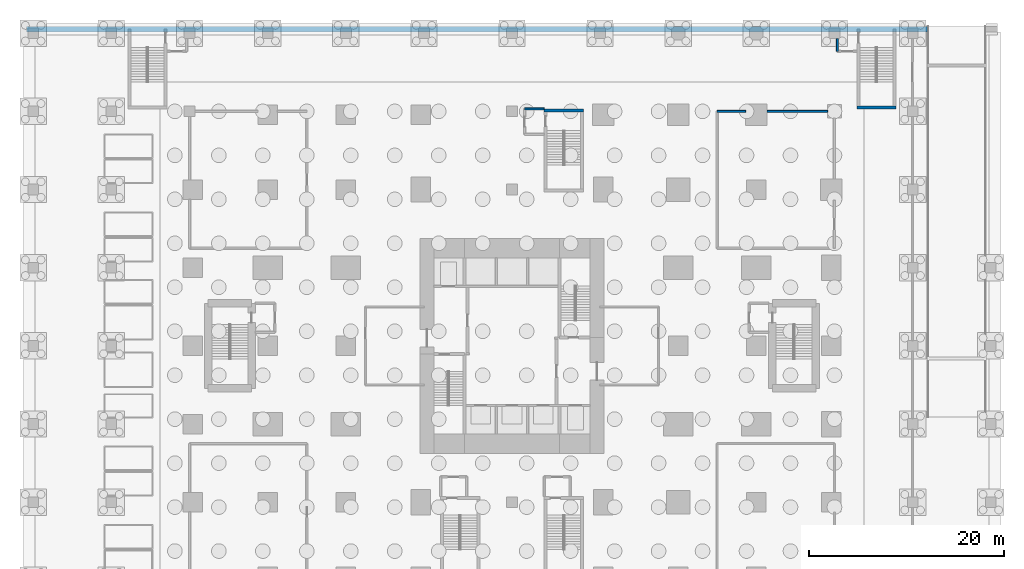
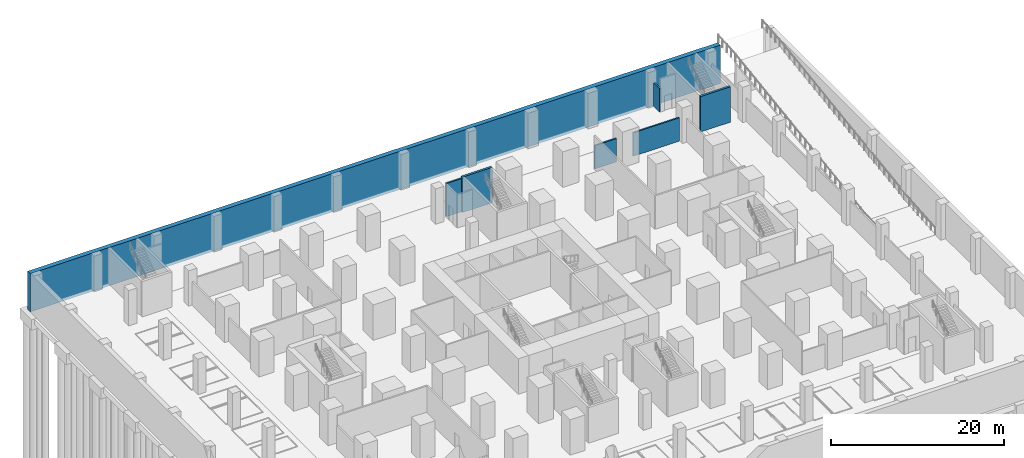
# One storey, part 11 of 17: 7 walls.
"""IFC4 building model written with IfcOpenShell, lengths in metres."""

from ifc_helpers import new_model, si_unit, direction, frame, frame_2d, origin, place, context, subcontext, project, spatial, rectangle, extrude, material, layer, layer_set, type_object, element, save


model = new_model("IFC4")

# Units and contexts
model_context = context("Model", 3, precision=1e-05, world=origin(), true_north=direction((0.0, 1.0)))
body_context = subcontext(model_context, "Body", "Model", "MODEL_VIEW")
ifc_project = project(units=[si_unit("LENGTHUNIT", "METRE"), si_unit("AREAUNIT", "SQUARE_METRE"), si_unit("VOLUMEUNIT", "CUBIC_METRE"), si_unit("PLANEANGLEUNIT", "RADIAN"), si_unit("MASSUNIT", "GRAM", prefix="KILO")], contexts=[model_context])

# Site, building, storey
site_placement = place(None, origin())
site = spatial("IfcSite", under=ifc_project, at=site_placement, CompositionType="ELEMENT")
building_placement = place(site_placement, origin())
building = spatial("IfcBuilding", under=site, at=building_placement, Name="Cleftline Residences", CompositionType="ELEMENT")
storey_placement = place(building_placement, frame((0.0, 0.0, -5.0)))
storey = spatial("IfcBuildingStorey", under=building, at=storey_placement, Name="L-01", CompositionType="ELEMENT", Elevation=-5.0)

# Walls
ifc_material_1 = material(Name="Concrete blockwork, fire rated", Category="masonry")
ifc_layer_1 = layer(ifc_material_1, 0.199951171875)
ifc_layer_set_1 = layer_set([ifc_layer_1], Name="FIRE WALL 200")
wall_type_1 = type_object("IfcWallType", Name="FIRE WALL 200", PredefinedType="PARTITIONING", material=ifc_layer_set_1)
wall_1_placement = place(storey_placement, frame((54.0, 48.0, 0.0), z_axis=(0.0, 0.0, 1.0), x_axis=(1.0, 0.0, 0.0)))
element("IfcWall", 1, at=wall_1_placement, inside=storey, type_object=wall_type_1, Name="Fire separating wall", PredefinedType="PARTITIONING", context=body_context, shape_type="SweptSolid", body=[
    extrude(rectangle(XDim=2.89990234375, YDim=0.199951171875, at=frame_2d((1.449951171875, 0.0))), origin(), (0.0, 0.0, 1.0), 3.300048828125),
])
wall_2_placement = place(storey_placement, frame((59.10009765625, 48.0, 0.0), z_axis=(0.0, 0.0, 1.0), x_axis=(1.0, 0.0, 0.0)))
element("IfcWall", 2, at=wall_2_placement, inside=storey, type_object=wall_type_1, Name="Fire separating wall", PredefinedType="PARTITIONING", context=body_context, shape_type="SweptSolid", body=[
    extrude(rectangle(XDim=6.199951171875, YDim=0.199951171875, at=frame_2d((3.10009765625, 0.0))), origin(), (0.0, 0.0, 1.0), 3.300048828125),
])
wall_3_placement = place(storey_placement, frame((34.300048828125, 48.25, 0.0), z_axis=(0.0, 0.0, 1.0), x_axis=(1.0, 0.0, 0.0)))
element("IfcWall", 3, at=wall_3_placement, inside=storey, type_object=wall_type_1, Name="Fire separating wall", PredefinedType="PARTITIONING", context=body_context, shape_type="SweptSolid", body=[
    extrude(rectangle(XDim=2.0, YDim=0.199951171875, at=frame_2d((1.0, 0.0))), origin(), (0.0, 0.0, 1.0), 4.699951171875),
])
wall_4_placement = place(storey_placement, frame((66.300048828125, 54.14990234375, 0.0), z_axis=(0.0, 0.0, 1.0), x_axis=(0.0, 1.0, 0.0)))
element("IfcWall", 4, at=wall_4_placement, inside=storey, type_object=wall_type_1, Name="Fire separating wall", PredefinedType="PARTITIONING", context=body_context, shape_type="SweptSolid", body=[
    extrude(rectangle(XDim=1.300048828125, YDim=0.199951171875, at=frame_2d((0.64990234375, 0.0))), origin(), (0.0, 0.0, 1.0), 3.300048828125),
])
ifc_material_2 = material(Name="Concrete B40", Category="concrete")
ifc_layer_2 = layer(ifc_material_2, 0.60009765625)
ifc_layer_set_2 = layer_set([ifc_layer_2], Name="RETAINING WALL 600")
wall_type_2 = type_object("IfcWallType", Name="RETAINING WALL 600", PredefinedType="USERDEFINED", material=ifc_layer_set_2)
wall_5_placement = place(storey_placement, frame((-16.699951171875, 56.39990234375, -0.39990234375), z_axis=(0.0, 0.0, 1.0), x_axis=(1.0, 0.0, 0.0)))
element("IfcWall", 5, at=wall_5_placement, inside=storey, type_object=wall_type_2, Name="Basement retaining wall", ObjectType="RETAINING WALL", PredefinedType="USERDEFINED", context=body_context, shape_type="SweptSolid", body=[
    extrude(rectangle(XDim=92.199951171875, YDim=0.60009765625, at=frame_2d((46.10009765625, 0.0))), origin(), (0.0, 0.0, 1.0), 5.39990234375),
])
ifc_material_3 = material(Name="Concrete blockwork, fire rated", Category="masonry")
ifc_layer_3 = layer(ifc_material_3, 0.300048828125)
ifc_layer_set_3 = layer_set([ifc_layer_3], Name="STAIR ENCLOSURE WALL 300")
wall_type_3 = type_object("IfcWallType", Name="STAIR ENCLOSURE WALL 300", PredefinedType="PARTITIONING", material=ifc_layer_set_3)
for number, where, z_axis, x_axis, name in (
    (6, (36.300048828125, 48.10009765625, 0.0), (0.0, 0.0, 1.0), (1.0, 0.0, 0.0), "Stair D enclosure"),
    (7, (68.300048828125, 48.39990234375, 0.0), (0.0, 0.0, 1.0), (1.0, 0.0, 0.0), "Stair PS-E enclosure"),
):
    element("IfcWall", number, at=place(storey_placement, frame(where, z_axis=z_axis, x_axis=x_axis)), inside=storey, type_object=wall_type_3, Name=name, PredefinedType="PARTITIONING", context=body_context, shape_type="SweptSolid", body=[
        extrude(rectangle(XDim=4.0, YDim=0.300048828125, at=frame_2d((2.0, 0.0))), origin(), (0.0, 0.0, 1.0), 5.0),
    ])

save(model, "model.ifc")
